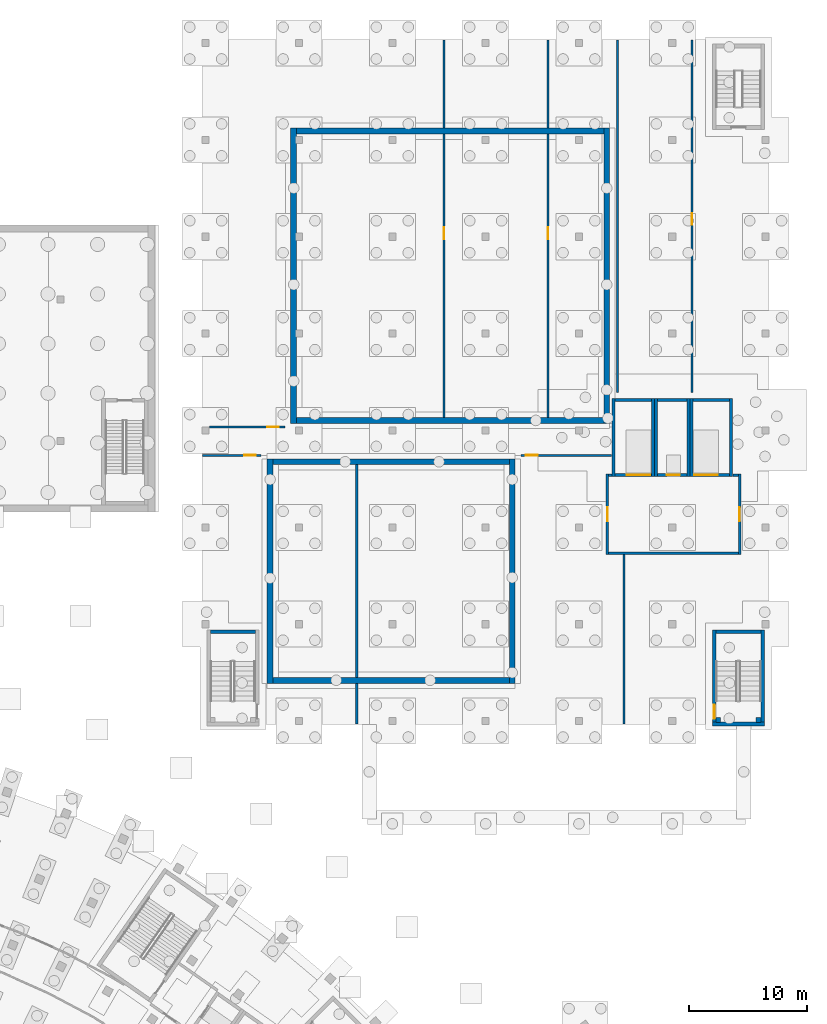
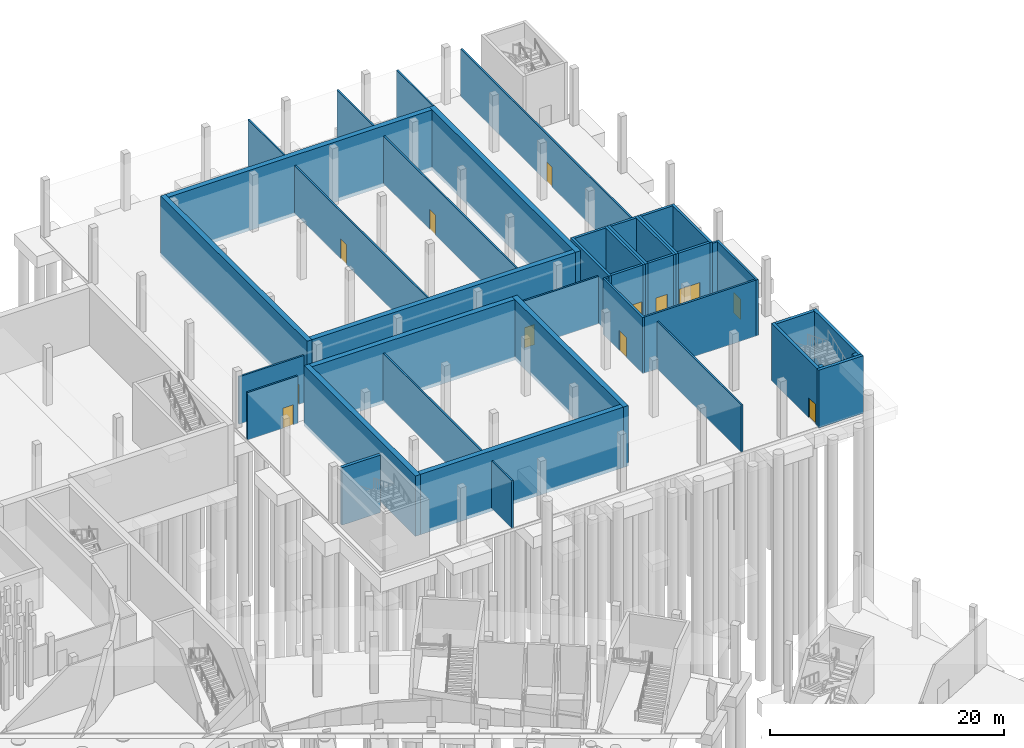
# One storey, part 29 of 66: 44 walls, 12 doors, 12 openings.
"""IFC4 building model written with IfcOpenShell, lengths in metres."""

import ifcopenshell
import ifcopenshell.guid

model = None  # the IFC model being written
_history = None  # IfcOwnerHistory: only IFC2X3 demands one
_inside = {}  # id of a spatial element -> (the spatial element, [elements in it])
_under = {}  # id of a project, library or spatial element -> (it, [spatial elements below it])
_declared = {}  # id of a project -> (the project, [libraries it declares])
_typed = {}  # id of a type object -> (the type object, [elements of that type])
_made_of = {}  # id of a material, layer set ... -> (it, [elements and type objects made of it])


def new_model(schema):
    """Start an empty IFC model of exactly this schema.

    Asked for "IFC4X3", IfcOpenShell would pick the latest addendum, in which some entities
    have other attributes; the version numbers below select the first issue.
    IFC2X3 requires an IfcOwnerHistory on every rooted entity: one is made here for all.
    """
    global model, _history
    if schema == "IFC4X3":
        model = ifcopenshell.file(schema_version=(4, 3, 0, 0))
    else:
        model = ifcopenshell.file(schema=schema)
    _inside.clear()
    _under.clear()
    _declared.clear()
    _typed.clear()
    _made_of.clear()
    _history = None
    if model.schema == "IFC2X3":
        org = make("IfcOrganization", Name="unknown")
        user = make(
            "IfcPersonAndOrganization",
            ThePerson=make("IfcPerson", FamilyName="unknown"),
            TheOrganization=org,
        )
        app = make(
            "IfcApplication",
            ApplicationDeveloper=org,
            Version="unknown",
            ApplicationFullName="unknown",
            ApplicationIdentifier="unknown",
        )
        _history = make(
            "IfcOwnerHistory",
            OwningUser=user,
            OwningApplication=app,
            ChangeAction="ADDED",
            CreationDate=0,
        )
    return model


def make(cls, **values):
    """One entity of the class cls with the attributes given. An attribute that is None is left unset."""
    return model.create_entity(
        cls, **{name: value for name, value in values.items() if value is not None}
    )


def rooted(cls, **values):
    """An entity with a GlobalId (a new one), such as an element, a storey or a relation."""
    return make(cls, GlobalId=ifcopenshell.guid.new(), OwnerHistory=_history, **values)


def si_unit(unit_type, name, prefix=None):
    """IfcSIUnit, for example si_unit("LENGTHUNIT", "METRE", prefix="MILLI")."""
    return make("IfcSIUnit", UnitType=unit_type, Prefix=prefix, Name=name)


def assignment(units):
    """IfcUnitAssignment: the units of a project."""
    return None if units is None else make("IfcUnitAssignment", Units=units)


def point(xyz):
    """IfcCartesianPoint."""
    return None if xyz is None else make("IfcCartesianPoint", Coordinates=xyz)


def direction(xyz):
    """IfcDirection."""
    return None if xyz is None else make("IfcDirection", DirectionRatios=xyz)


def frame(location, z_axis=None, x_axis=None):
    """IfcAxis2Placement3D, a coordinate frame: its origin and axes. An axis left out is left unset."""
    return make(
        "IfcAxis2Placement3D",
        Location=point(location),
        Axis=direction(z_axis),
        RefDirection=direction(x_axis),
    )


def frame_2d(location, x_axis=None):
    """IfcAxis2Placement2D, a coordinate frame in the plane: its origin and x axis."""
    return make(
        "IfcAxis2Placement2D", Location=point(location), RefDirection=direction(x_axis)
    )


def origin():
    """The frame at (0, 0, 0) with its axes left unset."""
    return frame((0.0, 0.0, 0.0))


def place(relative_to, where):
    """IfcLocalPlacement: puts the frame where relative to a parent placement (None: the world)."""
    return make(
        "IfcLocalPlacement", PlacementRelTo=relative_to, RelativePlacement=where
    )


def context(
    kind, dimensions, precision=None, world=None, true_north=None, identifier=None
):
    """IfcGeometricRepresentationContext, for example the 3D "Model" context."""
    return make(
        "IfcGeometricRepresentationContext",
        ContextIdentifier=identifier,
        ContextType=kind,
        CoordinateSpaceDimension=dimensions,
        Precision=precision,
        WorldCoordinateSystem=world,
        TrueNorth=true_north,
    )


def subcontext(parent, identifier, kind, view, scale=None):
    """IfcGeometricRepresentationSubContext, for example "Body" below "Model"."""
    return make(
        "IfcGeometricRepresentationSubContext",
        ContextIdentifier=identifier,
        ContextType=kind,
        ParentContext=parent,
        TargetScale=scale,
        TargetView=view,
    )


def project(units=None, contexts=None):
    """IfcProject with its units and contexts."""
    return rooted(
        "IfcProject",
        Name="project",
        RepresentationContexts=contexts,
        UnitsInContext=assignment(units),
    )


def spatial(cls, under=None, at=None, **own):
    """A site, building, storey or space (cls), placed at a placement, below another one or the project."""
    s = rooted(cls, ObjectPlacement=at, **own)
    if under is not None:
        _under.setdefault(under.id(), (under, []))[1].append(s)
    return s


def profile(cls, at=None, kind="AREA", **sizes):
    """A parametric profile (cls). Its sizes go by their IFC names, for example OverallWidth=200.0."""
    return make(cls, ProfileType=kind, Position=at, **sizes)


def rectangle(**sizes):
    """IfcRectangleProfileDef."""
    return profile("IfcRectangleProfileDef", **sizes)


def extrude(swept, where, along, depth):
    """IfcExtrudedAreaSolid: the profile swept, set in the frame where, extruded along a direction by depth."""
    return make(
        "IfcExtrudedAreaSolid",
        SweptArea=swept,
        Position=where,
        ExtrudedDirection=direction(along),
        Depth=depth,
    )


def shape(context_of_items, identifier, shape_type, items):
    """IfcShapeRepresentation: the items that make up one representation, for example the "Body"."""
    return make(
        "IfcShapeRepresentation",
        ContextOfItems=context_of_items,
        RepresentationIdentifier=identifier,
        RepresentationType=shape_type,
        Items=items,
    )


def material(Name=None, Category=None):
    """IfcMaterial."""
    return make("IfcMaterial", Name=Name, Category=Category)


def layer(
    of_material, thickness, ventilated=None, Name=None, Category=None, Priority=None
):
    """IfcMaterialLayer: one layer of a wall or slab, of a material (None: an air gap)."""
    return make(
        "IfcMaterialLayer",
        Material=of_material,
        LayerThickness=thickness,
        IsVentilated=ventilated,
        Name=Name,
        Category=Category,
        Priority=Priority,
    )


def layer_set(layers, Name=None):
    """IfcMaterialLayerSet."""
    return make("IfcMaterialLayerSet", MaterialLayers=layers, LayerSetName=Name)


def made_of(thing, what):
    """Note that an element or type object is made of a material, layer set ...; save() writes the relation."""
    if what is not None:
        _made_of.setdefault(what.id(), (what, []))[1].append(thing)
    return thing


def type_object(cls, material=None, **own):
    """A type object (cls), such as IfcWallType, which elements share."""
    return made_of(rooted(cls, **own), material)


def element(
    cls,
    number,
    at=None,
    inside=None,
    cuts=None,
    type_object=None,
    material=None,
    context=None,
    identifier="Body",
    shape_type=None,
    held_by="IfcProductDefinitionShape",
    body=None,
    shapes=None,
    **own,
):
    """One element of the class cls, such as IfcWall. Its Tag is "e" and its number.

    at: its placement. inside: the storey or other place that contains it. cuts: it is an
    opening in that element (IfcRelVoidsElement). A single representation is given by context,
    identifier, shape_type and body (its items); several are given by shapes. held_by: the class
    of the entity that holds the representations. save() writes the other relations.
    """
    e = rooted(cls, Tag="e%d" % number, ObjectPlacement=at, **own)
    if body is not None:
        shapes = [shape(context, identifier, shape_type, body)]
    if shapes is not None:
        e.Representation = make(held_by, Representations=shapes)
    if inside is not None:
        _inside.setdefault(inside.id(), (inside, []))[1].append(e)
    if cuts is not None:
        rooted(
            "IfcRelVoidsElement", RelatingBuildingElement=cuts, RelatedOpeningElement=e
        )
    if type_object is not None:
        _typed.setdefault(type_object.id(), (type_object, []))[1].append(e)
    return made_of(e, material)


def fill(opening, filler):
    """IfcRelFillsElement: the door or window that sits in an opening."""
    return rooted(
        "IfcRelFillsElement",
        RelatingOpeningElement=opening,
        RelatedBuildingElement=filler,
    )


def aggregate(whole, parts):
    """IfcRelAggregates: a whole, such as a stair, and the parts it consists of."""
    return rooted("IfcRelAggregates", RelatingObject=whole, RelatedObjects=parts)


def save(model, path):
    """Write the relations noted so far, then the file.

    IfcRelAggregates (storeys below a building ...), IfcRelContainedInSpatialStructure (elements
    in a storey), IfcRelDefinesByType, IfcRelAssociatesMaterial and IfcRelDeclares: one each for
    every whole, place, type object, material and project.
    """
    for whole, parts in _under.values():
        aggregate(whole, parts)
    for where, things in _inside.values():
        rooted(
            "IfcRelContainedInSpatialStructure",
            RelatedElements=things,
            RelatingStructure=where,
        )
    for kind, things in _typed.values():
        rooted("IfcRelDefinesByType", RelatedObjects=things, RelatingType=kind)
    for what, things in _made_of.values():
        rooted("IfcRelAssociatesMaterial", RelatedObjects=things, RelatingMaterial=what)
    for by, libraries in _declared.values():
        rooted("IfcRelDeclares", RelatingContext=by, RelatedDefinitions=libraries)
    model.write(path)


model = new_model("IFC4")

# Units and contexts
model_context = context("Model", 3, precision=1e-05, world=origin(), true_north=direction((0.0, 1.0)))
body_context = subcontext(model_context, "Body", "Model", "MODEL_VIEW")
ifc_project = project(units=[si_unit("LENGTHUNIT", "METRE"), si_unit("AREAUNIT", "SQUARE_METRE"), si_unit("VOLUMEUNIT", "CUBIC_METRE"), si_unit("PLANEANGLEUNIT", "RADIAN"), si_unit("MASSUNIT", "GRAM", prefix="KILO")], contexts=[model_context])

# Site, building, storey
site_placement = place(None, origin())
site = spatial("IfcSite", under=ifc_project, at=site_placement, CompositionType="ELEMENT")
building_placement = place(site_placement, origin())
building = spatial("IfcBuilding", under=site, at=building_placement, Name="Lunette Opera House", CompositionType="ELEMENT")
storey_placement = place(building_placement, frame((0.0, 0.0, -6.0)))
storey = spatial("IfcBuildingStorey", under=building, at=storey_placement, Name="B1", CompositionType="ELEMENT", Elevation=-6.0)

# Wall
ifc_material_1 = material(Name="Plastered clay blockwork", Category="masonry")
ifc_layer_1 = layer(ifc_material_1, 0.175048828125)
ifc_layer_set_1 = layer_set([ifc_layer_1], Name="Plastered clay blockwork")
wall_type_1 = type_object("IfcWallType", Name="ACOUSTIC BLOCK PARTITION 175", PredefinedType="PARTITIONING", material=ifc_layer_set_1)
wall_1_placement = place(storey_placement, frame((156.488037109375, 128.5, 0.0), z_axis=(0.0, 0.0, 1.0), x_axis=(0.0, 1.0, 0.0)))
element("IfcWall", 1, at=wall_1_placement, inside=storey, type_object=wall_type_1, Name="Partition Scenery Store Main", PredefinedType="PARTITIONING", context=body_context, shape_type="SweptSolid", body=[
    extrude(rectangle(XDim=7.449951171875, YDim=0.175048828125, at=frame_2d((3.72509765625, 0.0))), origin(), (0.0, 0.0, 1.0), 4.949951171875),
])

# Wall, opening, door
wall_2_placement = place(storey_placement, frame((156.488037109375, 104.0009765625, 0.0), z_axis=(0.0, 0.0, 1.0), x_axis=(0.0, 1.0, 0.0)))
wall_2 = element("IfcWall", 2, at=wall_2_placement, inside=storey, type_object=wall_type_1, Name="Partition Scenery Store Main", PredefinedType="PARTITIONING", context=body_context, shape_type="SweptSolid", body=[
    extrude(rectangle(XDim=23.998046875, YDim=0.175048828125, at=frame_2d((11.9990234375, 0.0))), origin(), (0.0, 0.0, 1.0), 4.949951171875),
])
opening_1_placement = place(wall_2_placement, frame((15.09912109375, 0.0, 0.0)))
opening_1 = element("IfcOpeningElement", 3, at=opening_1_placement, cuts=wall_2, Name="Opening WW-D3002", PredefinedType="OPENING", context=body_context, shape_type="SweptSolid", body=[
    extrude(rectangle(XDim=1.0, YDim=2.10009765625, at=frame_2d((0.5, 1.050048828125))), frame((0.0, 0.099609375, 0.0), z_axis=(0.0, -1.0, 0.0), x_axis=(1.0, 0.0, 0.0)), (0.0, 0.0, 1.0), 0.198974609375),
])
ifc_material_2 = material(Name="Timber", Category="wood")
door_type_1 = type_object("IfcDoorType", Name="FLUSH DOOR 1000 X 2100", OperationType="SINGLE_SWING_LEFT", PredefinedType="DOOR", material=ifc_material_2)
door_1_placement = place(opening_1_placement, origin())
door_1 = element("IfcDoor", 4, at=door_1_placement, inside=storey, type_object=door_type_1, Name="Costume Store Lower door", OperationType="SINGLE_SWING_RIGHT", OverallHeight=2.10009765625, OverallWidth=1.0, PredefinedType="DOOR", context=body_context, shape_type="SweptSolid", body=[
    extrude(rectangle(XDim=1.0, YDim=2.10009765625, at=frame_2d((0.5, 1.050048828125))), frame((0.0, 0.02490234375, 0.0), z_axis=(0.0, -1.0, 0.0), x_axis=(1.0, 0.0, 0.0)), (0.0, 0.0, 1.0), 0.050048828125),
])
fill(opening_1, door_1)

# Wall
wall_3_placement = place(storey_placement, frame((165.26904296875, 128.5, 0.0), z_axis=(0.0, 0.0, 1.0), x_axis=(0.0, 1.0, 0.0)))
element("IfcWall", 5, at=wall_3_placement, inside=storey, type_object=wall_type_1, Name="Partition Costume Store Lower", PredefinedType="PARTITIONING", context=body_context, shape_type="SweptSolid", body=[
    extrude(rectangle(XDim=7.449951171875, YDim=0.175048828125, at=frame_2d((3.72509765625, 0.0))), origin(), (0.0, 0.0, 1.0), 4.949951171875),
])

# Wall, opening, door
wall_4_placement = place(storey_placement, frame((165.26904296875, 104.0009765625, 0.0), z_axis=(0.0, 0.0, 1.0), x_axis=(0.0, 1.0, 0.0)))
wall_4 = element("IfcWall", 6, at=wall_4_placement, inside=storey, type_object=wall_type_1, Name="Partition Costume Store Lower", PredefinedType="PARTITIONING", context=body_context, shape_type="SweptSolid", body=[
    extrude(rectangle(XDim=23.998046875, YDim=0.175048828125, at=frame_2d((11.9990234375, 0.0))), origin(), (0.0, 0.0, 1.0), 4.949951171875),
])
opening_2_placement = place(wall_4_placement, frame((15.09912109375, 0.0, 0.0)))
opening_2 = element("IfcOpeningElement", 7, at=opening_2_placement, cuts=wall_4, Name="Opening WW-D3004", PredefinedType="OPENING", context=body_context, shape_type="SweptSolid", body=[
    extrude(rectangle(XDim=1.0, YDim=2.10009765625, at=frame_2d((0.5, 1.050048828125))), frame((0.0, 0.099609375, 0.0), z_axis=(0.0, -1.0, 0.0), x_axis=(1.0, 0.0, 0.0)), (0.0, 0.0, 1.0), 0.198974609375),
])
door_2_placement = place(opening_2_placement, origin())
door_2 = element("IfcDoor", 8, at=door_2_placement, inside=storey, type_object=door_type_1, Name="Workshop Plant Room door", OperationType="SINGLE_SWING_RIGHT", OverallHeight=2.10009765625, OverallWidth=1.0, PredefinedType="DOOR", context=body_context, shape_type="SweptSolid", body=[
    extrude(rectangle(XDim=1.0, YDim=2.10009765625, at=frame_2d((0.5, 1.050048828125))), frame((0.0, 0.02490234375, 0.0), z_axis=(0.0, -1.0, 0.0), x_axis=(1.0, 0.0, 0.0)), (0.0, 0.0, 1.0), 0.050048828125),
])
fill(opening_2, door_2)

# Wall
wall_5_placement = place(storey_placement, frame((171.156982421875, 106.10009765625, 0.0), z_axis=(0.0, 0.0, 1.0), x_axis=(0.0, 1.0, 0.0)))
element("IfcWall", 9, at=wall_5_placement, inside=storey, type_object=wall_type_1, Name="Partition Workshop Plant Room", PredefinedType="PARTITIONING", context=body_context, shape_type="SweptSolid", body=[
    extrude(rectangle(XDim=29.849853515625, YDim=0.175048828125, at=frame_2d((14.9248046875, 0.0))), origin(), (0.0, 0.0, 1.0), 4.949951171875),
])

# Wall, opening, door
wall_6_placement = place(storey_placement, frame((177.472900390625, 106.10009765625, 0.0), z_axis=(0.0, 0.0, 1.0), x_axis=(0.0, 1.0, 0.0)))
wall_6 = element("IfcWall", 10, at=wall_6_placement, inside=storey, type_object=wall_type_1, Name="Partition Sprinkler Tank and Pump Room", PredefinedType="PARTITIONING", context=body_context, shape_type="SweptSolid", body=[
    extrude(rectangle(XDim=29.849853515625, YDim=0.175048828125, at=frame_2d((14.9248046875, 0.0))), origin(), (0.0, 0.0, 1.0), 4.949951171875),
])
opening_3_placement = place(wall_6_placement, frame((14.199951171875, 0.0, 0.0)))
opening_3 = element("IfcOpeningElement", 11, at=opening_3_placement, cuts=wall_6, Name="Opening WW-D3006", PredefinedType="OPENING", context=body_context, shape_type="SweptSolid", body=[
    extrude(rectangle(XDim=1.0, YDim=2.10009765625, at=frame_2d((0.5, 1.050048828125))), frame((0.0, 0.099609375, 0.0), z_axis=(0.0, -1.0, 0.0), x_axis=(1.0, 0.0, 0.0)), (0.0, 0.0, 1.0), 0.198974609375),
])
door_3_placement = place(opening_3_placement, origin())
door_3 = element("IfcDoor", 12, at=door_3_placement, inside=storey, type_object=door_type_1, Name="Sprinkler Tank and Pump Room door", OperationType="SINGLE_SWING_LEFT", OverallHeight=2.10009765625, OverallWidth=1.0, PredefinedType="DOOR", context=body_context, shape_type="SweptSolid", body=[
    extrude(rectangle(XDim=1.0, YDim=2.10009765625, at=frame_2d((0.5, 1.050048828125))), frame((0.0, 0.02490234375, 0.0), z_axis=(0.0, -1.0, 0.0), x_axis=(1.0, 0.0, 0.0)), (0.0, 0.0, 1.0), 0.050048828125),
])
fill(opening_3, door_3)

# Walls
wall_7_placement = place(storey_placement, frame((149.0849609375, 82.0009765625, 0.0), z_axis=(0.0, 0.0, 1.0), x_axis=(0.0, 1.0, 0.0)))
element("IfcWall", 13, at=wall_7_placement, inside=storey, type_object=wall_type_1, Name="Partition Furniture Store", PredefinedType="PARTITIONING", context=body_context, shape_type="SweptSolid", body=[
    extrude(rectangle(XDim=17.998046875, YDim=0.175048828125, at=frame_2d((8.9990234375, 0.0))), origin(), (0.0, 0.0, 1.0), 4.949951171875),
])
wall_8_placement = place(storey_placement, frame((149.0849609375, 78.050048828125, 0.0), z_axis=(0.0, 0.0, 1.0), x_axis=(0.0, 1.0, 0.0)))
element("IfcWall", 14, at=wall_8_placement, inside=storey, type_object=wall_type_1, Name="Partition Furniture Store", PredefinedType="PARTITIONING", context=body_context, shape_type="SweptSolid", body=[
    extrude(rectangle(XDim=3.448974609375, YDim=0.175048828125, at=frame_2d((1.724609375, 0.0))), origin(), (0.0, 0.0, 1.0), 4.949951171875),
])

# Wall, opening, door
wall_9_placement = place(storey_placement, frame((170.64990234375, 100.800048828125, 0.0), z_axis=(0.0, 0.0, 1.0), x_axis=(-1.0, 0.0, 0.0)))
wall_9 = element("IfcWall", 15, at=wall_9_placement, inside=storey, type_object=wall_type_1, Name="Partition Chiller Plant Room", PredefinedType="PARTITIONING", context=body_context, shape_type="SweptSolid", body=[
    extrude(rectangle(XDim=7.64990234375, YDim=0.175048828125, at=frame_2d((3.824951171875, 0.0))), origin(), (0.0, 0.0, 1.0), 4.949951171875),
])
opening_4_placement = place(wall_9_placement, frame((6.258056640625, 0.0, 0.0)))
opening_4 = element("IfcOpeningElement", 16, at=opening_4_placement, cuts=wall_9, Name="Opening WW-D3005", PredefinedType="OPENING", context=body_context, shape_type="SweptSolid", body=[
    extrude(rectangle(XDim=1.0, YDim=2.10009765625, at=frame_2d((0.5, 1.050048828125))), frame((0.0, 0.099609375, 0.0), z_axis=(0.0, -1.0, 0.0), x_axis=(1.0, 0.0, 0.0)), (0.0, 0.0, 1.0), 0.198974609375),
])
door_4_placement = place(opening_4_placement, origin())
door_4 = element("IfcDoor", 17, at=door_4_placement, inside=storey, type_object=door_type_1, Name="Chiller Plant Room door", OperationType="SINGLE_SWING_RIGHT", OverallHeight=2.10009765625, OverallWidth=1.0, PredefinedType="DOOR", context=body_context, shape_type="SweptSolid", body=[
    extrude(rectangle(XDim=1.0, YDim=2.10009765625, at=frame_2d((0.5, 1.050048828125))), frame((0.0, 0.02490234375, 0.0), z_axis=(0.0, -1.0, 0.0), x_axis=(1.0, 0.0, 0.0)), (0.0, 0.0, 1.0), 0.050048828125),
])
fill(opening_4, door_4)

wall_10_placement = place(storey_placement, frame((136.60107421875, 103.199951171875, 0.0), z_axis=(0.0, 0.0, 1.0), x_axis=(1.0, 0.0, 0.0)))
wall_10 = element("IfcWall", 18, at=wall_10_placement, inside=storey, type_object=wall_type_1, Name="Partition Scenery Store Main", PredefinedType="PARTITIONING", context=body_context, shape_type="SweptSolid", body=[
    extrude(rectangle(XDim=6.39892578125, YDim=0.175048828125, at=frame_2d((3.199462890625, 0.0))), origin(), (0.0, 0.0, 1.0), 4.949951171875),
])
opening_5_placement = place(wall_10_placement, frame((4.89306640625, 0.0, 0.0)))
opening_5 = element("IfcOpeningElement", 19, at=opening_5_placement, cuts=wall_10, Name="Opening WW-D3001", PredefinedType="OPENING", context=body_context, shape_type="SweptSolid", body=[
    extrude(rectangle(XDim=1.0, YDim=2.10009765625, at=frame_2d((0.5, 1.050048828125))), frame((0.0, 0.099609375, 0.0), z_axis=(0.0, -1.0, 0.0), x_axis=(1.0, 0.0, 0.0)), (0.0, 0.0, 1.0), 0.198974609375),
])
door_5_placement = place(opening_5_placement, origin())
door_5 = element("IfcDoor", 20, at=door_5_placement, inside=storey, type_object=door_type_1, Name="Scenery Store Main door", OperationType="SINGLE_SWING_RIGHT", OverallHeight=2.10009765625, OverallWidth=1.0, PredefinedType="DOOR", context=body_context, shape_type="SweptSolid", body=[
    extrude(rectangle(XDim=1.0, YDim=2.10009765625, at=frame_2d((0.5, 1.050048828125))), frame((0.0, 0.02490234375, 0.0), z_axis=(0.0, -1.0, 0.0), x_axis=(1.0, 0.0, 0.0)), (0.0, 0.0, 1.0), 0.050048828125),
])
fill(opening_5, door_5)

# Wall
wall_11_placement = place(storey_placement, frame((171.712890625, 78.050048828125, 0.0), z_axis=(0.0, 0.0, 1.0), x_axis=(0.0, 1.0, 0.0)))
element("IfcWall", 21, at=wall_11_placement, inside=storey, type_object=wall_type_1, Name="Partition Chiller Plant Room", PredefinedType="PARTITIONING", context=body_context, shape_type="SweptSolid", body=[
    extrude(rectangle(XDim=14.349853515625, YDim=0.175048828125, at=frame_2d((7.1748046875, 0.0))), origin(), (0.0, 0.0, 1.0), 4.949951171875),
])

# Wall, opening, door
wall_12_placement = place(storey_placement, frame((141.0, 100.800048828125, 0.0), z_axis=(0.0, 0.0, 1.0), x_axis=(-1.0, 0.0, 0.0)))
wall_12 = element("IfcWall", 22, at=wall_12_placement, inside=storey, type_object=wall_type_1, Name="Partition Furniture Store", PredefinedType="PARTITIONING", context=body_context, shape_type="SweptSolid", body=[
    extrude(rectangle(XDim=4.949951171875, YDim=0.175048828125, at=frame_2d((2.47509765625, 0.0))), origin(), (0.0, 0.0, 1.0), 4.949951171875),
])
opening_6_placement = place(wall_12_placement, frame((0.45703125, 0.0, 0.0)))
opening_6 = element("IfcOpeningElement", 23, at=opening_6_placement, cuts=wall_12, Name="Opening WW-D3003", PredefinedType="OPENING", context=body_context, shape_type="SweptSolid", body=[
    extrude(rectangle(XDim=1.0, YDim=2.10009765625, at=frame_2d((0.5, 1.050048828125))), frame((0.0, 0.099609375, 0.0), z_axis=(0.0, -1.0, 0.0), x_axis=(1.0, 0.0, 0.0)), (0.0, 0.0, 1.0), 0.198974609375),
])
door_6_placement = place(opening_6_placement, origin())
door_6 = element("IfcDoor", 24, at=door_6_placement, inside=storey, type_object=door_type_1, Name="Furniture Store door", OperationType="SINGLE_SWING_LEFT", OverallHeight=2.10009765625, OverallWidth=1.0, PredefinedType="DOOR", context=body_context, shape_type="SweptSolid", body=[
    extrude(rectangle(XDim=1.0, YDim=2.10009765625, at=frame_2d((0.5, 1.050048828125))), frame((0.0, 0.02490234375, 0.0), z_axis=(0.0, -1.0, 0.0), x_axis=(1.0, 0.0, 0.0)), (0.0, 0.0, 1.0), 0.050048828125),
])
fill(opening_6, door_6)

ifc_material_3 = material(Name="Concrete C35/45", Category="concrete")
ifc_layer_2 = layer(ifc_material_3, 0.199951171875)
ifc_layer_set_2 = layer_set([ifc_layer_2], Name="Concrete C35/45")
wall_type_2 = type_object("IfcWallType", Name="LOBBY WALL 200", PredefinedType="PARTITIONING", material=ifc_layer_set_2)
wall_13_placement = place(storey_placement, frame((181.5, 92.39990234375, 0.0), z_axis=(0.0, 0.0, 1.0), x_axis=(0.0, 1.0, 0.0)))
wall_13 = element("IfcWall", 25, at=wall_13_placement, inside=storey, type_object=wall_type_2, Name="LL-W lobby wall 1a", PredefinedType="PARTITIONING", context=body_context, shape_type="SweptSolid", body=[
    extrude(rectangle(XDim=6.800048828125, YDim=0.199951171875, at=frame_2d((3.39990234375, 0.0))), origin(), (0.0, 0.0, 1.0), 5.85009765625),
])
opening_7_placement = place(wall_13_placement, frame((2.800048828125, 0.0, 0.0)))
opening_7 = element("IfcOpeningElement", 26, at=opening_7_placement, cuts=wall_13, Name="Opening WW-D7015", PredefinedType="OPENING", context=body_context, shape_type="SweptSolid", body=[
    extrude(rectangle(XDim=1.199951171875, YDim=2.10009765625, at=frame_2d((0.60009765625, 1.050048828125))), frame((0.0, 0.112060546875, 0.0), z_axis=(0.0, -1.0, 0.0), x_axis=(1.0, 0.0, 0.0)), (0.0, 0.0, 1.0), 0.223876953125),
])
ifc_material_4 = material(Name="Steel", Category="steel")
door_type_2 = type_object("IfcDoorType", Name="FIRE DOOR 1200 X 2100", OperationType="SINGLE_SWING_LEFT", PredefinedType="DOOR", material=ifc_material_4)
door_7_placement = place(opening_7_placement, origin())
door_7 = element("IfcDoor", 27, at=door_7_placement, inside=storey, type_object=door_type_2, Name="LL-W lobby door", OperationType="SINGLE_SWING_LEFT", OverallHeight=2.10009765625, OverallWidth=1.199951171875, PredefinedType="DOOR", context=body_context, shape_type="SweptSolid", body=[
    extrude(rectangle(XDim=1.199951171875, YDim=2.10009765625, at=frame_2d((0.60009765625, 1.050048828125))), frame((0.0, 0.02490234375, 0.0), z_axis=(0.0, -1.0, 0.0), x_axis=(1.0, 0.0, 0.0)), (0.0, 0.0, 1.0), 0.050048828125),
])
fill(opening_7, door_7)

# Walls
wall_14_placement = place(storey_placement, frame((181.39990234375, 99.10009765625, 0.0), z_axis=(0.0, 0.0, 1.0), x_axis=(-1.0, 0.0, 0.0)))
element("IfcWall", 28, at=wall_14_placement, inside=storey, type_object=wall_type_2, Name="LL-W lobby wall 2a", PredefinedType="PARTITIONING", context=body_context, shape_type="SweptSolid", body=[
    extrude(rectangle(XDim=0.47998046875, YDim=0.199951171875, at=frame_2d((0.239990234375, 0.0))), origin(), (0.0, 0.0, 1.0), 5.85009765625),
])
wall_15_placement = place(storey_placement, frame((170.679931640625, 99.10009765625, 0.0), z_axis=(0.0, 0.0, 1.0), x_axis=(-1.0, 0.0, 0.0)))
element("IfcWall", 29, at=wall_15_placement, inside=storey, type_object=wall_type_2, Name="LL-W lobby wall 2b", PredefinedType="PARTITIONING", context=body_context, shape_type="SweptSolid", body=[
    extrude(rectangle(XDim=0.280029296875, YDim=0.199951171875, at=frame_2d((0.14013671875, 0.0))), origin(), (0.0, 0.0, 1.0), 5.85009765625),
])

# Wall, opening, door
wall_16_placement = place(storey_placement, frame((170.300048828125, 99.199951171875, 0.0), z_axis=(0.0, 0.0, 1.0), x_axis=(0.0, -1.0, 0.0)))
wall_16 = element("IfcWall", 30, at=wall_16_placement, inside=storey, type_object=wall_type_2, Name="LL-W lobby wall 3a", PredefinedType="PARTITIONING", context=body_context, shape_type="SweptSolid", body=[
    extrude(rectangle(XDim=6.800048828125, YDim=0.199951171875, at=frame_2d((3.39990234375, 0.0))), origin(), (0.0, 0.0, 1.0), 5.85009765625),
])
opening_8_placement = place(wall_16_placement, frame((2.800048828125, 0.0, 0.0)))
opening_8 = element("IfcOpeningElement", 31, at=opening_8_placement, cuts=wall_16, Name="Opening WW-D7016", PredefinedType="OPENING", context=body_context, shape_type="SweptSolid", body=[
    extrude(rectangle(XDim=1.199951171875, YDim=2.10009765625, at=frame_2d((0.60009765625, 1.050048828125))), frame((0.0, 0.112060546875, 0.0), z_axis=(0.0, -1.0, 0.0), x_axis=(1.0, 0.0, 0.0)), (0.0, 0.0, 1.0), 0.223876953125),
])
door_8_placement = place(opening_8_placement, origin())
door_8 = element("IfcDoor", 32, at=door_8_placement, inside=storey, type_object=door_type_2, Name="LL-W lobby door", OperationType="SINGLE_SWING_LEFT", OverallHeight=2.10009765625, OverallWidth=1.199951171875, PredefinedType="DOOR", context=body_context, shape_type="SweptSolid", body=[
    extrude(rectangle(XDim=1.199951171875, YDim=2.10009765625, at=frame_2d((0.60009765625, 1.050048828125))), frame((0.0, 0.02490234375, 0.0), z_axis=(0.0, -1.0, 0.0), x_axis=(1.0, 0.0, 0.0)), (0.0, 0.0, 1.0), 0.050048828125),
])
fill(opening_8, door_8)

# Walls
wall_17_placement = place(storey_placement, frame((170.39990234375, 92.5, 0.0), z_axis=(0.0, 0.0, 1.0), x_axis=(1.0, 0.0, 0.0)))
element("IfcWall", 33, at=wall_17_placement, inside=storey, type_object=wall_type_2, Name="LL-W lobby wall 4a", PredefinedType="PARTITIONING", context=body_context, shape_type="SweptSolid", body=[
    extrude(rectangle(XDim=11.0, YDim=0.199951171875, at=frame_2d((5.5, 0.0))), origin(), (0.0, 0.0, 1.0), 5.85009765625),
])
ifc_material_5 = material(Name="Concrete C35/45", Category="concrete")
ifc_layer_3 = layer(ifc_material_5, 0.25)
ifc_layer_set_3 = layer_set([ifc_layer_3], Name="Concrete C35/45")
wall_type_3 = type_object("IfcWallType", Name="RC LIFT SHAFT WALL 250", PredefinedType="SOLIDWALL", material=ifc_layer_set_3)
wall_18_placement = place(storey_placement, frame((177.175048828125, 99.0, 0.0), z_axis=(0.0, 0.0, 1.0), x_axis=(0.0, 1.0, 0.0)))
element("IfcWall", 34, at=wall_18_placement, inside=storey, type_object=wall_type_3, Name="LF6 shaft wall 1", PredefinedType="SOLIDWALL", context=body_context, shape_type="SweptSolid", body=[
    extrude(rectangle(XDim=6.60009765625, YDim=0.25, at=frame_2d((3.300048828125, 0.0))), origin(), (0.0, 0.0, 1.0), 6.0),
])
wall_19_placement = place(storey_placement, frame((177.050048828125, 105.47509765625, 0.0), z_axis=(0.0, 0.0, 1.0), x_axis=(-1.0, 0.0, 0.0)))
element("IfcWall", 35, at=wall_19_placement, inside=storey, type_object=wall_type_3, Name="LF6 shaft wall 2", PredefinedType="SOLIDWALL", context=body_context, shape_type="SweptSolid", body=[
    extrude(rectangle(XDim=2.5, YDim=0.25, at=frame_2d((1.25, 0.0))), origin(), (0.0, 0.0, 1.0), 6.0),
])
wall_20_placement = place(storey_placement, frame((174.425048828125, 105.60009765625, 0.0), z_axis=(0.0, 0.0, 1.0), x_axis=(0.0, -1.0, 0.0)))
element("IfcWall", 36, at=wall_20_placement, inside=storey, type_object=wall_type_3, Name="LF6 shaft wall 3", PredefinedType="SOLIDWALL", context=body_context, shape_type="SweptSolid", body=[
    extrude(rectangle(XDim=6.60009765625, YDim=0.25, at=frame_2d((3.300048828125, 0.0))), origin(), (0.0, 0.0, 1.0), 6.0),
])

# Wall, opening, door
wall_21_placement = place(storey_placement, frame((174.550048828125, 99.125, 0.0), z_axis=(0.0, 0.0, 1.0), x_axis=(1.0, 0.0, 0.0)))
wall_21 = element("IfcWall", 37, at=wall_21_placement, inside=storey, type_object=wall_type_3, Name="LF6 shaft wall 4", PredefinedType="SOLIDWALL", context=body_context, shape_type="SweptSolid", body=[
    extrude(rectangle(XDim=2.5, YDim=0.25, at=frame_2d((1.25, 0.0))), origin(), (0.0, 0.0, 1.0), 6.0),
])
opening_9_placement = place(wall_21_placement, frame((0.800048828125, 0.0, 0.0)))
opening_9 = element("IfcOpeningElement", 38, at=opening_9_placement, cuts=wall_21, Name="Opening WW-LD001", PredefinedType="OPENING", context=body_context, shape_type="SweptSolid", body=[
    extrude(rectangle(XDim=1.10009765625, YDim=2.10009765625, at=frame_2d((0.550048828125, 1.050048828125))), frame((0.0, 0.136962890625, 0.0), z_axis=(0.0, -1.0, 0.0), x_axis=(1.0, 0.0, 0.0)), (0.0, 0.0, 1.0), 0.27392578125),
])
ifc_material_6 = material(Name="Stainless steel", Category="steel")
door_type_3 = type_object("IfcDoorType", Name="LIFT LANDING DOOR 1100 X 2100", OperationType="DOUBLE_DOOR_SLIDING", PredefinedType="DOOR", material=ifc_material_6)
door_9_placement = place(opening_9_placement, origin())
door_9 = element("IfcDoor", 39, at=door_9_placement, inside=storey, type_object=door_type_3, Name="LF6 lift landing door", OperationType="DOUBLE_DOOR_SLIDING", OverallHeight=2.10009765625, OverallWidth=1.10009765625, PredefinedType="DOOR", context=body_context, shape_type="SweptSolid", body=[
    extrude(rectangle(XDim=1.10009765625, YDim=2.10009765625, at=frame_2d((0.550048828125, 1.050048828125))), frame((0.0, 0.02490234375, 0.0), z_axis=(0.0, -1.0, 0.0), x_axis=(1.0, 0.0, 0.0)), (0.0, 0.0, 1.0), 0.050048828125),
])
fill(opening_9, door_9)

# Walls
wall_22_placement = place(storey_placement, frame((174.175048828125, 99.0, 0.0), z_axis=(0.0, 0.0, 1.0), x_axis=(0.0, 1.0, 0.0)))
element("IfcWall", 40, at=wall_22_placement, inside=storey, type_object=wall_type_3, Name="LG2 shaft wall 1", PredefinedType="SOLIDWALL", context=body_context, shape_type="SweptSolid", body=[
    extrude(rectangle(XDim=6.60009765625, YDim=0.25, at=frame_2d((3.300048828125, 0.0))), origin(), (0.0, 0.0, 1.0), 6.0),
])
wall_23_placement = place(storey_placement, frame((174.050048828125, 105.47509765625, 0.0), z_axis=(0.0, 0.0, 1.0), x_axis=(-1.0, 0.0, 0.0)))
element("IfcWall", 41, at=wall_23_placement, inside=storey, type_object=wall_type_3, Name="LG2 shaft wall 2", PredefinedType="SOLIDWALL", context=body_context, shape_type="SweptSolid", body=[
    extrude(rectangle(XDim=3.10009765625, YDim=0.25, at=frame_2d((1.550048828125, 0.0))), origin(), (0.0, 0.0, 1.0), 6.0),
])
wall_24_placement = place(storey_placement, frame((170.824951171875, 105.60009765625, 0.0), z_axis=(0.0, 0.0, 1.0), x_axis=(0.0, -1.0, 0.0)))
element("IfcWall", 42, at=wall_24_placement, inside=storey, type_object=wall_type_3, Name="LG2 shaft wall 3", PredefinedType="SOLIDWALL", context=body_context, shape_type="SweptSolid", body=[
    extrude(rectangle(XDim=6.60009765625, YDim=0.25, at=frame_2d((3.300048828125, 0.0))), origin(), (0.0, 0.0, 1.0), 6.0),
])

# Wall, opening, door
wall_25_placement = place(storey_placement, frame((170.949951171875, 99.125, 0.0), z_axis=(0.0, 0.0, 1.0), x_axis=(1.0, 0.0, 0.0)))
wall_25 = element("IfcWall", 43, at=wall_25_placement, inside=storey, type_object=wall_type_3, Name="LG2 shaft wall 4", PredefinedType="SOLIDWALL", context=body_context, shape_type="SweptSolid", body=[
    extrude(rectangle(XDim=3.10009765625, YDim=0.25, at=frame_2d((1.550048828125, 0.0))), origin(), (0.0, 0.0, 1.0), 6.0),
])
opening_10_placement = place(wall_25_placement, frame((1.0, 0.0, 0.0)))
opening_10 = element("IfcOpeningElement", 44, at=opening_10_placement, cuts=wall_25, Name="Opening WW-LD006", PredefinedType="OPENING", context=body_context, shape_type="SweptSolid", body=[
    extrude(rectangle(XDim=2.0, YDim=2.199951171875, at=frame_2d((1.0, 1.10009765625))), frame((0.0, 0.136962890625, 0.0), z_axis=(0.0, -1.0, 0.0), x_axis=(1.0, 0.0, 0.0)), (0.0, 0.0, 1.0), 0.27392578125),
])
ifc_material_7 = material(Name="Stainless steel", Category="steel")
door_type_4 = type_object("IfcDoorType", Name="LIFT LANDING DOOR 2000 X 2200", OperationType="DOUBLE_DOOR_SLIDING", PredefinedType="DOOR", material=ifc_material_7)
door_10_placement = place(opening_10_placement, origin())
door_10 = element("IfcDoor", 45, at=door_10_placement, inside=storey, type_object=door_type_4, Name="LG2 lift landing door", OperationType="DOUBLE_DOOR_SLIDING", OverallHeight=2.199951171875, OverallWidth=2.0, PredefinedType="DOOR", context=body_context, shape_type="SweptSolid", body=[
    extrude(rectangle(XDim=2.0, YDim=2.199951171875, at=frame_2d((1.0, 1.10009765625))), frame((0.0, 0.02490234375, 0.0), z_axis=(0.0, -1.0, 0.0), x_axis=(1.0, 0.0, 0.0)), (0.0, 0.0, 1.0), 0.050048828125),
])
fill(opening_10, door_10)

# Walls
wall_26_placement = place(storey_placement, frame((180.77490234375, 99.0, 0.0), z_axis=(0.0, 0.0, 1.0), x_axis=(0.0, 1.0, 0.0)))
element("IfcWall", 46, at=wall_26_placement, inside=storey, type_object=wall_type_3, Name="LG3 shaft wall 1", PredefinedType="SOLIDWALL", context=body_context, shape_type="SweptSolid", body=[
    extrude(rectangle(XDim=6.60009765625, YDim=0.25, at=frame_2d((3.300048828125, 0.0))), origin(), (0.0, 0.0, 1.0), 6.0),
])
wall_27_placement = place(storey_placement, frame((180.64990234375, 105.47509765625, 0.0), z_axis=(0.0, 0.0, 1.0), x_axis=(-1.0, 0.0, 0.0)))
element("IfcWall", 47, at=wall_27_placement, inside=storey, type_object=wall_type_3, Name="LG3 shaft wall 2", PredefinedType="SOLIDWALL", context=body_context, shape_type="SweptSolid", body=[
    extrude(rectangle(XDim=3.099853515625, YDim=0.25, at=frame_2d((1.5498046875, 0.0))), origin(), (0.0, 0.0, 1.0), 6.0),
])
wall_28_placement = place(storey_placement, frame((177.425048828125, 105.60009765625, 0.0), z_axis=(0.0, 0.0, 1.0), x_axis=(0.0, -1.0, 0.0)))
element("IfcWall", 48, at=wall_28_placement, inside=storey, type_object=wall_type_3, Name="LG3 shaft wall 3", PredefinedType="SOLIDWALL", context=body_context, shape_type="SweptSolid", body=[
    extrude(rectangle(XDim=6.60009765625, YDim=0.25, at=frame_2d((3.300048828125, 0.0))), origin(), (0.0, 0.0, 1.0), 6.0),
])

# Wall, opening, door
wall_29_placement = place(storey_placement, frame((177.550048828125, 99.125, 0.0), z_axis=(0.0, 0.0, 1.0), x_axis=(1.0, 0.0, 0.0)))
wall_29 = element("IfcWall", 49, at=wall_29_placement, inside=storey, type_object=wall_type_3, Name="LG3 shaft wall 4", PredefinedType="SOLIDWALL", context=body_context, shape_type="SweptSolid", body=[
    extrude(rectangle(XDim=3.099853515625, YDim=0.25, at=frame_2d((1.5498046875, 0.0))), origin(), (0.0, 0.0, 1.0), 6.0),
])
opening_11_placement = place(wall_29_placement, frame((0.10009765625, 0.0, 0.0)))
opening_11 = element("IfcOpeningElement", 50, at=opening_11_placement, cuts=wall_29, Name="Opening WW-LD011", PredefinedType="OPENING", context=body_context, shape_type="SweptSolid", body=[
    extrude(rectangle(XDim=2.0, YDim=2.199951171875, at=frame_2d((1.0, 1.10009765625))), frame((0.0, 0.136962890625, 0.0), z_axis=(0.0, -1.0, 0.0), x_axis=(1.0, 0.0, 0.0)), (0.0, 0.0, 1.0), 0.27392578125),
])
door_11_placement = place(opening_11_placement, origin())
door_11 = element("IfcDoor", 51, at=door_11_placement, inside=storey, type_object=door_type_4, Name="LG3 lift landing door", OperationType="DOUBLE_DOOR_SLIDING", OverallHeight=2.199951171875, OverallWidth=2.0, PredefinedType="DOOR", context=body_context, shape_type="SweptSolid", body=[
    extrude(rectangle(XDim=2.0, YDim=2.199951171875, at=frame_2d((1.0, 1.10009765625))), frame((0.0, 0.02490234375, 0.0), z_axis=(0.0, -1.0, 0.0), x_axis=(1.0, 0.0, 0.0)), (0.0, 0.0, 1.0), 0.050048828125),
])
fill(opening_11, door_11)

# Walls
ifc_material_8 = material(Name="Concrete C35/45", Category="concrete")
ifc_layer_4 = layer(ifc_material_8, 0.39990234375)
ifc_layer_set_4 = layer_set([ifc_layer_4], Name="Concrete C35/45")
wall_type_4 = type_object("IfcWallType", Name="RC PILASTER 400", PredefinedType="SOLIDWALL", material=ifc_layer_set_4)
wall_30_placement = place(storey_placement, frame((179.5, 78.39990234375, 0.0), z_axis=(0.0, 0.0, 1.0), x_axis=(1.0, 0.0, 0.0)))
element("IfcWall", 52, at=wall_30_placement, inside=storey, type_object=wall_type_4, Name="ST20 pilaster 1", PredefinedType="SOLIDWALL", context=body_context, shape_type="SweptSolid", body=[
    extrude(rectangle(XDim=0.39990234375, YDim=0.39990234375, at=frame_2d((0.199951171875, 0.0))), origin(), (0.0, 0.0, 1.0), 6.0),
])
wall_31_placement = place(storey_placement, frame((182.89990234375, 78.39990234375, 0.0), z_axis=(0.0, 0.0, 1.0), x_axis=(1.0, 0.0, 0.0)))
element("IfcWall", 53, at=wall_31_placement, inside=storey, type_object=wall_type_4, Name="ST20 pilaster 2", PredefinedType="SOLIDWALL", context=body_context, shape_type="SweptSolid", body=[
    extrude(rectangle(XDim=0.400146484375, YDim=0.39990234375, at=frame_2d((0.2001953125, 0.0))), origin(), (0.0, 0.0, 1.0), 6.0),
])
ifc_material_9 = material(Name="Concrete C35/45", Category="concrete")
ifc_layer_5 = layer(ifc_material_9, 0.300048828125)
ifc_layer_set_5 = layer_set([ifc_layer_5], Name="Concrete C35/45")
wall_type_5 = type_object("IfcWallType", Name="RC STAIR ENCLOSURE WALL 300", PredefinedType="SOLIDWALL", material=ifc_layer_set_5)
wall_32_placement = place(storey_placement, frame((140.5, 85.85009765625, 0.0), z_axis=(0.0, 0.0, 1.0), x_axis=(-1.0, 0.0, 0.0)))
element("IfcWall", 54, at=wall_32_placement, inside=storey, type_object=wall_type_5, Name="ST18 enclosure wall 2", PredefinedType="SOLIDWALL", context=body_context, shape_type="SweptSolid", body=[
    extrude(rectangle(XDim=3.800048828125, YDim=0.300048828125, at=frame_2d((1.89990234375, 0.0))), origin(), (0.0, 0.0, 1.0), 6.0),
])
wall_33_placement = place(storey_placement, frame((183.449951171875, 78.199951171875, 0.0), z_axis=(0.0, 0.0, 1.0), x_axis=(0.0, 1.0, 0.0)))
element("IfcWall", 55, at=wall_33_placement, inside=storey, type_object=wall_type_5, Name="ST20 enclosure wall 1", PredefinedType="SOLIDWALL", context=body_context, shape_type="SweptSolid", body=[
    extrude(rectangle(XDim=7.800048828125, YDim=0.300048828125, at=frame_2d((3.89990234375, 0.0))), origin(), (0.0, 0.0, 1.0), 6.0),
])
wall_34_placement = place(storey_placement, frame((183.300048828125, 85.85009765625, 0.0), z_axis=(0.0, 0.0, 1.0), x_axis=(-1.0, 0.0, 0.0)))
element("IfcWall", 56, at=wall_34_placement, inside=storey, type_object=wall_type_5, Name="ST20 enclosure wall 2", PredefinedType="SOLIDWALL", context=body_context, shape_type="SweptSolid", body=[
    extrude(rectangle(XDim=3.800048828125, YDim=0.300048828125, at=frame_2d((1.89990234375, 0.0))), origin(), (0.0, 0.0, 1.0), 6.0),
])

# Wall, opening, door
wall_35_placement = place(storey_placement, frame((179.35009765625, 86.0, 0.0), z_axis=(0.0, 0.0, 1.0), x_axis=(0.0, -1.0, 0.0)))
wall_35 = element("IfcWall", 57, at=wall_35_placement, inside=storey, type_object=wall_type_5, Name="ST20 enclosure wall 3", PredefinedType="SOLIDWALL", context=body_context, shape_type="SweptSolid", body=[
    extrude(rectangle(XDim=7.800048828125, YDim=0.300048828125, at=frame_2d((3.89990234375, 0.0))), origin(), (0.0, 0.0, 1.0), 6.0),
])
opening_12_placement = place(wall_35_placement, frame((6.300048828125, 0.0, 0.0)))
opening_12 = element("IfcOpeningElement", 58, at=opening_12_placement, cuts=wall_35, Name="Opening WW-D7010", PredefinedType="OPENING", context=body_context, shape_type="SweptSolid", body=[
    extrude(rectangle(XDim=1.199951171875, YDim=2.10009765625, at=frame_2d((0.60009765625, 1.050048828125))), frame((0.0, 0.162109375, 0.0), z_axis=(0.0, -1.0, 0.0), x_axis=(1.0, 0.0, 0.0)), (0.0, 0.0, 1.0), 0.323974609375),
])
door_12_placement = place(opening_12_placement, origin())
door_12 = element("IfcDoor", 59, at=door_12_placement, inside=storey, type_object=door_type_2, Name="ST20 stair door", OperationType="SINGLE_SWING_LEFT", OverallHeight=2.10009765625, OverallWidth=1.199951171875, PredefinedType="DOOR", context=body_context, shape_type="SweptSolid", body=[
    extrude(rectangle(XDim=1.199951171875, YDim=2.10009765625, at=frame_2d((0.60009765625, 1.050048828125))), frame((0.0, 0.02490234375, 0.0), z_axis=(0.0, -1.0, 0.0), x_axis=(1.0, 0.0, 0.0)), (0.0, 0.0, 1.0), 0.050048828125),
])
fill(opening_12, door_12)

# Walls
wall_36_placement = place(storey_placement, frame((179.199951171875, 78.050048828125, 0.0), z_axis=(0.0, 0.0, 1.0), x_axis=(1.0, 0.0, 0.0)))
element("IfcWall", 60, at=wall_36_placement, inside=storey, type_object=wall_type_5, Name="ST20 enclosure wall 4", PredefinedType="SOLIDWALL", context=body_context, shape_type="SweptSolid", body=[
    extrude(rectangle(XDim=4.400146484375, YDim=0.300048828125, at=frame_2d((2.2001953125, 0.0))), origin(), (0.0, 0.0, 1.0), 6.0),
])
ifc_material_10 = material(Name="Concrete C35/45", Category="concrete")
ifc_layer_6 = layer(ifc_material_10, 0.5)
ifc_layer_set_6 = layer_set([ifc_layer_6], Name="Concrete C35/45")
wall_type_6 = type_object("IfcWallType", Name="RC WALL 500", PredefinedType="SHEAR", material=ifc_layer_set_6)
for number, where, z_axis, x_axis, name in (
    (61, (141.5, 81.75, -0.300048828125), (0.0, 0.0, 1.0), (1.0, 0.0, 0.0), "wall-WW-B1-CP-S-1"),
    (62, (141.5, 100.25, -0.300048828125), (0.0, 0.0, 1.0), (1.0, 0.0, 0.0), "wall-WW-B1-CP-N-1"),
):
    element("IfcWall", number, at=place(storey_placement, frame(where, z_axis=z_axis, x_axis=x_axis)), inside=storey, type_object=wall_type_6, Name=name, PredefinedType="SHEAR", context=body_context, shape_type="SweptSolid", body=[
        extrude(rectangle(XDim=21.0, YDim=0.5, at=frame_2d((10.5, 0.0))), origin(), (0.0, 0.0, 1.0), 6.300048828125),
    ])
for number, where, z_axis, x_axis, name in (
    (63, (141.75, 81.5, -0.300048828125), (0.0, 0.0, 1.0), (0.0, 1.0, 0.0), "wall-WW-B1-CP-W-1"),
    (64, (162.25, 81.5, -0.300048828125), (0.0, 0.0, 1.0), (0.0, 1.0, 0.0), "wall-WW-B1-CP-E-1"),
):
    element("IfcWall", number, at=place(storey_placement, frame(where, z_axis=z_axis, x_axis=x_axis)), inside=storey, type_object=wall_type_6, Name=name, PredefinedType="SHEAR", context=body_context, shape_type="SweptSolid", body=[
        extrude(rectangle(XDim=19.0, YDim=0.5, at=frame_2d((9.5, 0.0))), origin(), (0.0, 0.0, 1.0), 6.300048828125),
    ])
for number, where, z_axis, x_axis, name in (
    (65, (143.5, 103.75, -0.300048828125), (0.0, 0.0, 1.0), (1.0, 0.0, 0.0), "wall-WW-B1-PH-S-1"),
    (66, (143.5, 128.25, -0.300048828125), (0.0, 0.0, 1.0), (1.0, 0.0, 0.0), "wall-WW-B1-PH-N-1"),
):
    element("IfcWall", number, at=place(storey_placement, frame(where, z_axis=z_axis, x_axis=x_axis)), inside=storey, type_object=wall_type_6, Name=name, PredefinedType="SHEAR", context=body_context, shape_type="SweptSolid", body=[
        extrude(rectangle(XDim=27.0, YDim=0.5, at=frame_2d((13.5, 0.0))), origin(), (0.0, 0.0, 1.0), 6.300048828125),
    ])
for number, where, z_axis, x_axis, name in (
    (67, (143.75, 103.5, -0.300048828125), (0.0, 0.0, 1.0), (0.0, 1.0, 0.0), "wall-WW-B1-PH-W-1"),
    (68, (170.25, 103.5, -0.300048828125), (0.0, 0.0, 1.0), (0.0, 1.0, 0.0), "wall-WW-B1-PH-E-1"),
):
    element("IfcWall", number, at=place(storey_placement, frame(where, z_axis=z_axis, x_axis=x_axis)), inside=storey, type_object=wall_type_6, Name=name, PredefinedType="SHEAR", context=body_context, shape_type="SweptSolid", body=[
        extrude(rectangle(XDim=25.0, YDim=0.5, at=frame_2d((12.5, 0.0))), origin(), (0.0, 0.0, 1.0), 6.300048828125),
    ])

save(model, "model.ifc")
